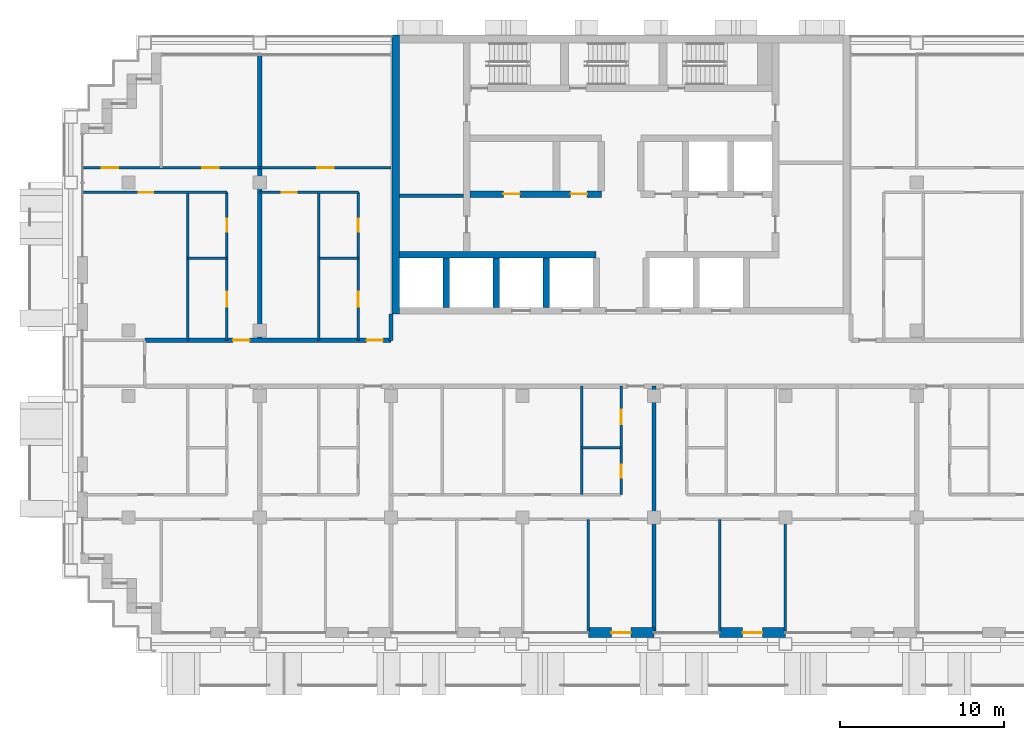
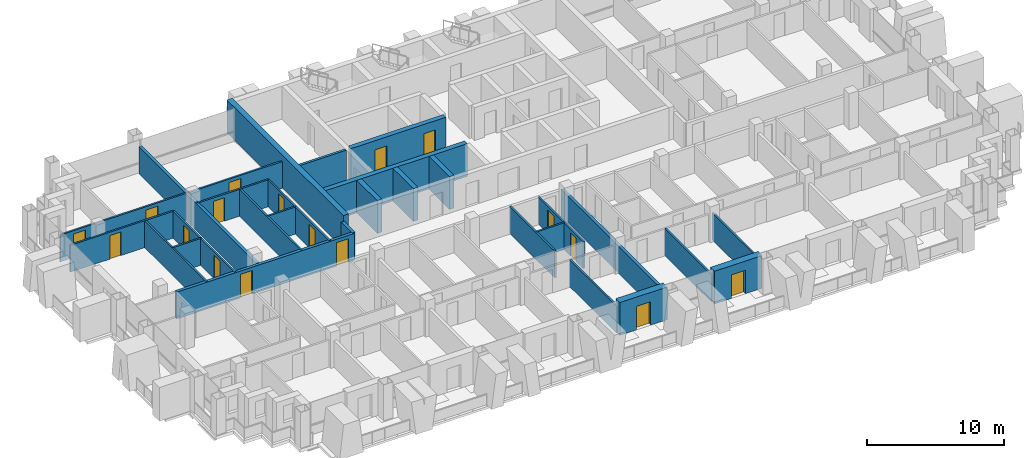
# One storey, part 9 of 18: 29 walls, 17 doors, 17 openings.
"""IFC4 building model written with IfcOpenShell, lengths in metres."""

from ifc_helpers import new_model, si_unit, direction, frame, frame_2d, origin, place, context, subcontext, project, spatial, rectangle, extrude, material, layer, layer_set, type_object, element, fill, save


model = new_model("IFC4")

# Units and contexts
model_context = context("Model", 3, precision=1e-05, world=origin(), true_north=direction((0.0, 1.0)))
body_context = subcontext(model_context, "Body", "Model", "MODEL_VIEW")
ifc_project = project(units=[si_unit("LENGTHUNIT", "METRE"), si_unit("AREAUNIT", "SQUARE_METRE"), si_unit("VOLUMEUNIT", "CUBIC_METRE"), si_unit("PLANEANGLEUNIT", "RADIAN"), si_unit("MASSUNIT", "GRAM", prefix="KILO")], contexts=[model_context])

# Site, building, storey
site_placement = place(None, origin())
site = spatial("IfcSite", under=ifc_project, at=site_placement, CompositionType="ELEMENT")
building_placement = place(site_placement, origin())
building = spatial("IfcBuilding", under=site, at=building_placement, Name="Vidyagriha Tower", CompositionType="ELEMENT")
storey_placement = place(building_placement, frame((0.0, 0.0, 123.0)))
storey = spatial("IfcBuildingStorey", under=building, at=storey_placement, Name="L31", CompositionType="ELEMENT", Elevation=123.0)

# Wall, opening, door
ifc_material_1 = material(Name="Precast concrete C40/50 with brick facing", Category="concrete")
ifc_layer_1 = layer(ifc_material_1, 0.60009765625)
ifc_layer_set_1 = layer_set([ifc_layer_1], Name="Precast concrete C40/50 with brick facing")
wall_type_1 = type_object("IfcWallType", Name="Brick-faced precast wall 600", PredefinedType="STANDARD", material=ifc_layer_set_1)
wall_1_placement = place(storey_placement, frame((-2.0, -16.39990234375, 0.0)))
wall_1 = element("IfcWall", 1, at=wall_1_placement, inside=storey, type_object=wall_type_1, Name="Brick door bay wall L31 R23.8", PredefinedType="STANDARD", context=body_context, shape_type="SweptSolid", body=[
    extrude(rectangle(XDim=4.0, YDim=0.60009765625, at=frame_2d((2.0, 0.0))), origin(), (0.0, 0.0, 1.0), 2.919921875),
])
opening_1_placement = place(wall_1_placement, frame((1.39990234375, 0.0, 0.0)))
opening_1 = element("IfcOpeningElement", 2, at=opening_1_placement, cuts=wall_1, Name="Opening D31-78", PredefinedType="OPENING", context=body_context, shape_type="SweptSolid", body=[
    extrude(rectangle(XDim=1.199951171875, YDim=2.10009765625, at=frame_2d((0.60009765625, 1.050048828125))), frame((0.0, 0.31005859375, 0.0), z_axis=(0.0, -1.0, 0.0), x_axis=(1.0, 0.0, 0.0)), (0.0, 0.0, 1.0), 0.6201171875),
])
ifc_material_2 = material(Name="Aluminium framed glazed sliding door", Category="aluminium")
door_type_1 = type_object("IfcDoorType", Name="Balcony sliding door 1200x2100", OperationType="NOTDEFINED", PredefinedType="DOOR", material=ifc_material_2)
door_1_placement = place(opening_1_placement, origin())
door_1 = element("IfcDoor", 3, at=door_1_placement, inside=storey, type_object=door_type_1, Name="Door D31-78", OperationType="SLIDING_TO_LEFT", OverallHeight=2.10009765625, OverallWidth=1.199951171875, PredefinedType="DOOR", context=body_context, shape_type="SweptSolid", body=[
    extrude(rectangle(XDim=1.199951171875, YDim=2.10009765625, at=frame_2d((0.60009765625, 1.050048828125))), frame((0.0, 0.02490234375, 0.0), z_axis=(0.0, -1.0, 0.0), x_axis=(1.0, 0.0, 0.0)), (0.0, 0.0, 1.0), 0.050048828125),
])
fill(opening_1, door_1)

wall_2_placement = place(storey_placement, frame((6.0, -16.39990234375, 0.0)))
wall_2 = element("IfcWall", 4, at=wall_2_placement, inside=storey, type_object=wall_type_1, Name="Brick door bay wall L31 R23.10", PredefinedType="STANDARD", context=body_context, shape_type="SweptSolid", body=[
    extrude(rectangle(XDim=4.0, YDim=0.60009765625, at=frame_2d((2.0, 0.0))), origin(), (0.0, 0.0, 1.0), 2.919921875),
])
opening_2_placement = place(wall_2_placement, frame((1.39990234375, 0.0, 0.0)))
opening_2 = element("IfcOpeningElement", 5, at=opening_2_placement, cuts=wall_2, Name="Opening D31-79", PredefinedType="OPENING", context=body_context, shape_type="SweptSolid", body=[
    extrude(rectangle(XDim=1.199951171875, YDim=2.10009765625, at=frame_2d((0.60009765625, 1.050048828125))), frame((0.0, 0.31005859375, 0.0), z_axis=(0.0, -1.0, 0.0), x_axis=(1.0, 0.0, 0.0)), (0.0, 0.0, 1.0), 0.6201171875),
])
door_2_placement = place(opening_2_placement, origin())
door_2 = element("IfcDoor", 6, at=door_2_placement, inside=storey, type_object=door_type_1, Name="Door D31-79", OperationType="SLIDING_TO_LEFT", OverallHeight=2.10009765625, OverallWidth=1.199951171875, PredefinedType="DOOR", context=body_context, shape_type="SweptSolid", body=[
    extrude(rectangle(XDim=1.199951171875, YDim=2.10009765625, at=frame_2d((0.60009765625, 1.050048828125))), frame((0.0, 0.02490234375, 0.0), z_axis=(0.0, -1.0, 0.0), x_axis=(1.0, 0.0, 0.0)), (0.0, 0.0, 1.0), 0.050048828125),
])
fill(opening_2, door_2)

# Walls
ifc_material_3 = material(Name="Concrete C60/75", Category="concrete")
ifc_layer_2 = layer(ifc_material_3, 0.39990234375)
ifc_layer_set_2 = layer_set([ifc_layer_2], Name="Concrete C60/75")
wall_type_2 = type_object("IfcWallType", Name="Core shear wall 400 mm", PredefinedType="SHEAR", material=ifc_layer_set_2)
wall_3_placement = place(storey_placement, frame((-13.5, 6.60009765625, 0.0)))
element("IfcWall", 7, at=wall_3_placement, inside=storey, type_object=wall_type_2, Name="Core lobby south wall west", PredefinedType="SHEAR", context=body_context, shape_type="SweptSolid", body=[
    extrude(rectangle(XDim=11.977783203125, YDim=0.39990234375, at=frame_2d((5.98876953125, 0.0))), origin(), (0.0, 0.0, 1.0), 2.919921875),
])
for number, where, z_axis, x_axis, name in (
    (8, (-10.655517578125, 3.39990234375, 0.0), (0.0, 0.0, 1.0), (0.0, 1.0, 0.0), "Core bay wall S1"),
    (9, (-7.611083984375, 3.39990234375, 0.0), (0.0, 0.0, 1.0), (0.0, 1.0, 0.0), "Core bay wall S2"),
    (10, (-4.566650390625, 3.39990234375, 0.0), (0.0, 0.0, 1.0), (0.0, 1.0, 0.0), "Core bay wall S3"),
):
    element("IfcWall", number, at=place(storey_placement, frame(where, z_axis=z_axis, x_axis=x_axis)), inside=storey, type_object=wall_type_2, Name=name, PredefinedType="SHEAR", context=body_context, shape_type="SweptSolid", body=[
        extrude(rectangle(XDim=3.0, YDim=0.39990234375, at=frame_2d((1.5, 0.0))), origin(), (0.0, 0.0, 1.0), 2.919921875),
    ])

# Wall, openings, doors
wall_4_placement = place(storey_placement, frame((-9.199951171875, 10.300048828125, 0.0)))
wall_4 = element("IfcWall", 11, at=wall_4_placement, inside=storey, type_object=wall_type_2, Name="Core row N front wall", PredefinedType="SHEAR", context=body_context, shape_type="SweptSolid", body=[
    extrude(rectangle(XDim=8.0, YDim=0.39990234375, at=frame_2d((4.0, 0.0))), origin(), (0.0, 0.0, 1.0), 2.919921875),
])
opening_3_placement = place(wall_4_placement, frame((2.033203125, 0.0, 0.0)))
opening_3 = element("IfcOpeningElement", 12, at=opening_3_placement, cuts=wall_4, Name="Opening D31-02", PredefinedType="OPENING", context=body_context, shape_type="SweptSolid", body=[
    extrude(rectangle(XDim=1.0, YDim=2.10009765625, at=frame_2d((0.5, 1.050048828125))), frame((0.0, 0.2099609375, 0.0), z_axis=(0.0, -1.0, 0.0), x_axis=(1.0, 0.0, 0.0)), (0.0, 0.0, 1.0), 0.419921875),
])
opening_4_placement = place(wall_4_placement, frame((6.13330078125, 0.0, 0.0)))
opening_4 = element("IfcOpeningElement", 13, at=opening_4_placement, cuts=wall_4, Name="Opening D31-03", PredefinedType="OPENING", context=body_context, shape_type="SweptSolid", body=[
    extrude(rectangle(XDim=1.0, YDim=2.10009765625, at=frame_2d((0.5, 1.050048828125))), frame((0.0, 0.2099609375, 0.0), z_axis=(0.0, -1.0, 0.0), x_axis=(1.0, 0.0, 0.0)), (0.0, 0.0, 1.0), 0.419921875),
])
ifc_material_4 = material(Name="Hollow metal door leaf")
door_type_2 = type_object("IfcDoorType", Name="Core room door 1000 x 2100 mm EI 60", OperationType="NOTDEFINED", PredefinedType="DOOR", material=ifc_material_4)
door_3_placement = place(opening_3_placement, frame((1.0, 0.0, 0.0), z_axis=(0.0, 0.0, 1.0), x_axis=(-1.0, 0.0, 0.0)))
door_3 = element("IfcDoor", 14, at=door_3_placement, inside=storey, type_object=door_type_2, Name="Door Refuse Room 31.14", OperationType="SINGLE_SWING_RIGHT", OverallHeight=2.10009765625, OverallWidth=1.0, PredefinedType="DOOR", context=body_context, shape_type="SweptSolid", body=[
    extrude(rectangle(XDim=1.0, YDim=2.10009765625, at=frame_2d((0.5, 1.050048828125))), frame((0.0, 0.02490234375, 0.0), z_axis=(0.0, -1.0, 0.0), x_axis=(1.0, 0.0, 0.0)), (0.0, 0.0, 1.0), 0.050048828125),
])
fill(opening_3, door_3)
door_4_placement = place(opening_4_placement, frame((1.0, 0.0, 0.0), z_axis=(0.0, 0.0, 1.0), x_axis=(-1.0, 0.0, 0.0)))
door_4 = element("IfcDoor", 15, at=door_4_placement, inside=storey, type_object=door_type_2, Name="Door Pressurisation Plant Room 31.15", OperationType="SINGLE_SWING_LEFT", OverallHeight=2.10009765625, OverallWidth=1.0, PredefinedType="DOOR", context=body_context, shape_type="SweptSolid", body=[
    extrude(rectangle(XDim=1.0, YDim=2.10009765625, at=frame_2d((0.5, 1.050048828125))), frame((0.0, 0.02490234375, 0.0), z_axis=(0.0, -1.0, 0.0), x_axis=(1.0, 0.0, 0.0)), (0.0, 0.0, 1.0), 0.050048828125),
])
fill(opening_4, door_4)

# Wall
ifc_material_5 = material(Name="Concrete C60/75", Category="concrete")
ifc_layer_3 = layer(ifc_material_5, 0.449951171875)
ifc_layer_set_3 = layer_set([ifc_layer_3], Name="Concrete C60/75")
wall_type_3 = type_object("IfcWallType", Name="Core shear wall 450 mm", PredefinedType="SHEAR", material=ifc_layer_set_3)
wall_5_placement = place(storey_placement, frame((-13.72509765625, 3.0, 0.0), z_axis=(0.0, 0.0, 1.0), x_axis=(0.0, 1.0, 0.0)))
element("IfcWall", 16, at=wall_5_placement, inside=storey, type_object=wall_type_3, Name="Core west wall", PredefinedType="SHEAR", context=body_context, shape_type="SweptSolid", body=[
    extrude(rectangle(XDim=17.0, YDim=0.449951171875, at=frame_2d((8.5, 0.0))), origin(), (0.0, 0.0, 1.0), 2.919921875),
])

# Wall, openings, doors
ifc_material_6 = material(Name="Fired clay brick masonry", Category="masonry")
ifc_layer_4 = layer(ifc_material_6, 0.25)
ifc_layer_set_4 = layer_set([ifc_layer_4], Name="Fired clay brick masonry")
wall_type_4 = type_object("IfcWallType", Name="Fired clay brick corridor wall 250", PredefinedType="PARTITIONING", material=ifc_layer_set_4)
wall_6_placement = place(storey_placement, frame((-29.0, 1.39990234375, 0.0)))
wall_6 = element("IfcWall", 17, at=wall_6_placement, inside=storey, type_object=wall_type_4, Name="Wall all-L31-w108", PredefinedType="PARTITIONING", context=body_context, shape_type="SweptSolid", body=[
    extrude(rectangle(XDim=15.0, YDim=0.25, at=frame_2d((7.5, 0.0))), origin(), (0.0, 0.0, 1.0), 2.39990234375),
])
opening_5_placement = place(wall_6_placement, frame((5.382080078125, 0.0, 0.0)))
opening_5 = element("IfcOpeningElement", 18, at=opening_5_placement, cuts=wall_6, Name="Opening D31-56", PredefinedType="OPENING", context=body_context, shape_type="SweptSolid", body=[
    extrude(rectangle(XDim=1.0, YDim=2.10009765625, at=frame_2d((0.5, 1.050048828125))), frame((0.0, 0.135009765625, 0.0), z_axis=(0.0, -1.0, 0.0), x_axis=(1.0, 0.0, 0.0)), (0.0, 0.0, 1.0), 0.27001953125),
])
opening_6_placement = place(wall_6_placement, frame((13.5, 0.0, 0.0)))
opening_6 = element("IfcOpeningElement", 19, at=opening_6_placement, cuts=wall_6, Name="Opening D31-61", PredefinedType="OPENING", context=body_context, shape_type="SweptSolid", body=[
    extrude(rectangle(XDim=1.0, YDim=2.10009765625, at=frame_2d((0.5, 1.050048828125))), frame((0.0, 0.135009765625, 0.0), z_axis=(0.0, -1.0, 0.0), x_axis=(1.0, 0.0, 0.0)), (0.0, 0.0, 1.0), 0.27001953125),
])
ifc_material_7 = material(Name="Fire-rated timber door leaf EI 60", Category="wood")
door_type_3 = type_object("IfcDoorType", Name="Flat entrance fire door 1000x2100", OperationType="NOTDEFINED", PredefinedType="DOOR", material=ifc_material_7)
door_5_placement = place(opening_5_placement, origin())
door_5 = element("IfcDoor", 20, at=door_5_placement, inside=storey, type_object=door_type_3, Name="Door D31-56", OperationType="SINGLE_SWING_RIGHT", OverallHeight=2.10009765625, OverallWidth=1.0, PredefinedType="DOOR", context=body_context, shape_type="SweptSolid", body=[
    extrude(rectangle(XDim=1.0, YDim=2.10009765625, at=frame_2d((0.5, 1.050048828125))), frame((0.0, 0.02490234375, 0.0), z_axis=(0.0, -1.0, 0.0), x_axis=(1.0, 0.0, 0.0)), (0.0, 0.0, 1.0), 0.050048828125),
])
fill(opening_5, door_5)
door_6_placement = place(opening_6_placement, origin())
door_6 = element("IfcDoor", 21, at=door_6_placement, inside=storey, type_object=door_type_3, Name="Door D31-61", OperationType="SINGLE_SWING_RIGHT", OverallHeight=2.10009765625, OverallWidth=1.0, PredefinedType="DOOR", context=body_context, shape_type="SweptSolid", body=[
    extrude(rectangle(XDim=1.0, YDim=2.10009765625, at=frame_2d((0.5, 1.050048828125))), frame((0.0, 0.02490234375, 0.0), z_axis=(0.0, -1.0, 0.0), x_axis=(1.0, 0.0, 0.0)), (0.0, 0.0, 1.0), 0.050048828125),
])
fill(opening_6, door_6)

# Walls
wall_7_placement = place(storey_placement, frame((-14.0, 3.0, 0.0), z_axis=(0.0, 0.0, 1.0), x_axis=(0.0, -1.0, 0.0)))
element("IfcWall", 22, at=wall_7_placement, inside=storey, type_object=wall_type_4, Name="Wall all-L31-w135", PredefinedType="PARTITIONING", context=body_context, shape_type="SweptSolid", body=[
    extrude(rectangle(XDim=1.60009765625, YDim=0.25, at=frame_2d((0.800048828125, 0.0))), origin(), (0.0, 0.0, 1.0), 2.39990234375),
])
ifc_material_8 = material(Name="Fired clay brick masonry", Category="masonry")
ifc_layer_5 = layer(ifc_material_8, 0.25)
ifc_layer_set_5 = layer_set([ifc_layer_5], Name="Fired clay brick masonry")
wall_type_5 = type_object("IfcWallType", Name="Fired clay brick demising wall 250", PredefinedType="PARTITIONING", material=ifc_layer_set_5)
wall_8_placement = place(storey_placement, frame((2.0, -1.39990234375, 0.0), z_axis=(0.0, 0.0, 1.0), x_axis=(0.0, -1.0, 0.0)))
element("IfcWall", 23, at=wall_8_placement, inside=storey, type_object=wall_type_5, Name="Wall all-L31-w065", PredefinedType="PARTITIONING", context=body_context, shape_type="SweptSolid", body=[
    extrude(rectangle(XDim=14.91015625, YDim=0.25, at=frame_2d((7.455078125, 0.0))), origin(), (0.0, 0.0, 1.0), 2.39990234375),
])
wall_9_placement = place(storey_placement, frame((-22.0, 18.720947265625, 0.0), z_axis=(0.0, 0.0, 1.0), x_axis=(0.0, -1.0, 0.0)))
element("IfcWall", 24, at=wall_9_placement, inside=storey, type_object=wall_type_5, Name="Wall all-L31-w107", PredefinedType="PARTITIONING", context=body_context, shape_type="SweptSolid", body=[
    extrude(rectangle(XDim=17.321044921875, YDim=0.25, at=frame_2d((8.66064453125, 0.0))), origin(), (0.0, 0.0, 1.0), 2.39990234375),
])
ifc_material_9 = material(Name="Gypsum board partition")
ifc_layer_6 = layer(ifc_material_9, 0.14990234375)
ifc_layer_set_6 = layer_set([ifc_layer_6], Name="Gypsum board partition")
wall_type_6 = type_object("IfcWallType", Name="Gypsum board partition 150", PredefinedType="PARTITIONING", material=ifc_layer_set_6)
wall_10_placement = place(storey_placement, frame((0.0, -5.14990234375, 0.0), z_axis=(0.0, 0.0, 1.0), x_axis=(-1.0, 0.0, 0.0)))
element("IfcWall", 25, at=wall_10_placement, inside=storey, type_object=wall_type_6, Name="Wall all-L31-w029", PredefinedType="PARTITIONING", context=body_context, shape_type="SweptSolid", body=[
    extrude(rectangle(XDim=2.39990234375, YDim=0.14990234375, at=frame_2d((1.199951171875, 0.0))), origin(), (0.0, 0.0, 1.0), 2.39990234375),
])
wall_11_placement = place(storey_placement, frame((-2.39990234375, -8.0, 0.0), z_axis=(0.0, 0.0, 1.0), x_axis=(0.0, 1.0, 0.0)))
element("IfcWall", 26, at=wall_11_placement, inside=storey, type_object=wall_type_6, Name="Wall all-L31-w030", PredefinedType="PARTITIONING", context=body_context, shape_type="SweptSolid", body=[
    extrude(rectangle(XDim=6.60009765625, YDim=0.14990234375, at=frame_2d((3.300048828125, 0.0))), origin(), (0.0, 0.0, 1.0), 2.39990234375),
])
for number, where, z_axis, x_axis, name in (
    (27, (-2.0, -9.5, 0.0), (0.0, 0.0, 1.0), (0.0, -1.0, 0.0), "Wall all-L31-w044"),
    (28, (6.0, -9.5, 0.0), (0.0, 0.0, 1.0), (0.0, -1.0, 0.0), "Wall all-L31-w062"),
):
    element("IfcWall", number, at=place(storey_placement, frame(where, z_axis=z_axis, x_axis=x_axis)), inside=storey, type_object=wall_type_6, Name=name, PredefinedType="PARTITIONING", context=body_context, shape_type="SweptSolid", body=[
        extrude(rectangle(XDim=6.821044921875, YDim=0.14990234375, at=frame_2d((3.41064453125, 0.0))), origin(), (0.0, 0.0, 1.0), 2.39990234375),
    ])
wall_12_placement = place(storey_placement, frame((10.0, -9.5, 0.0), z_axis=(0.0, 0.0, 1.0), x_axis=(0.0, -1.0, 0.0)))
element("IfcWall", 29, at=wall_12_placement, inside=storey, type_object=wall_type_6, Name="Wall all-L31-w063", PredefinedType="PARTITIONING", context=body_context, shape_type="SweptSolid", body=[
    extrude(rectangle(XDim=6.81005859375, YDim=0.14990234375, at=frame_2d((3.405029296875, 0.0))), origin(), (0.0, 0.0, 1.0), 2.39990234375),
])
wall_13_placement = place(storey_placement, frame((-26.39990234375, 6.39990234375, 0.0)))
element("IfcWall", 30, at=wall_13_placement, inside=storey, type_object=wall_type_6, Name="Wall all-L31-w088", PredefinedType="PARTITIONING", context=body_context, shape_type="SweptSolid", body=[
    extrude(rectangle(XDim=2.39990234375, YDim=0.14990234375, at=frame_2d((1.199951171875, 0.0))), origin(), (0.0, 0.0, 1.0), 2.39990234375),
])
wall_14_placement = place(storey_placement, frame((-26.39990234375, 1.39990234375, 0.0), z_axis=(0.0, 0.0, 1.0), x_axis=(0.0, 1.0, 0.0)))
element("IfcWall", 31, at=wall_14_placement, inside=storey, type_object=wall_type_6, Name="Wall all-L31-w089", PredefinedType="PARTITIONING", context=body_context, shape_type="SweptSolid", body=[
    extrude(rectangle(XDim=9.0, YDim=0.14990234375, at=frame_2d((4.5, 0.0))), origin(), (0.0, 0.0, 1.0), 2.39990234375),
])

# Wall, opening, door
wall_15_placement = place(storey_placement, frame((-24.0, 10.39990234375, 0.0), z_axis=(0.0, 0.0, 1.0), x_axis=(-1.0, 0.0, 0.0)))
wall_15 = element("IfcWall", 32, at=wall_15_placement, inside=storey, type_object=wall_type_6, Name="Wall all-L31-w090", PredefinedType="PARTITIONING", context=body_context, shape_type="SweptSolid", body=[
    extrude(rectangle(XDim=8.719970703125, YDim=0.14990234375, at=frame_2d((4.35986328125, 0.0))), origin(), (0.0, 0.0, 1.0), 2.39990234375),
])
opening_7_placement = place(wall_15_placement, frame((4.48193359375, 0.0, 0.0)))
opening_7 = element("IfcOpeningElement", 33, at=opening_7_placement, cuts=wall_15, Name="Opening D31-53", PredefinedType="OPENING", context=body_context, shape_type="SweptSolid", body=[
    extrude(rectangle(XDim=0.89990234375, YDim=2.10009765625, at=frame_2d((0.449951171875, 1.050048828125))), frame((0.0, 0.0849609375, 0.0), z_axis=(0.0, -1.0, 0.0), x_axis=(1.0, 0.0, 0.0)), (0.0, 0.0, 1.0), 0.169921875),
])
ifc_material_10 = material(Name="Timber door leaf", Category="wood")
door_type_4 = type_object("IfcDoorType", Name="Room door 900x2100", OperationType="NOTDEFINED", PredefinedType="DOOR", material=ifc_material_10)
door_7_placement = place(opening_7_placement, origin())
door_7 = element("IfcDoor", 34, at=door_7_placement, inside=storey, type_object=door_type_4, Name="Door D31-53", OperationType="SINGLE_SWING_LEFT", OverallHeight=2.10009765625, OverallWidth=0.89990234375, PredefinedType="DOOR", context=body_context, shape_type="SweptSolid", body=[
    extrude(rectangle(XDim=0.89990234375, YDim=2.10009765625, at=frame_2d((0.449951171875, 1.050048828125))), frame((0.0, 0.02490234375, 0.0), z_axis=(0.0, -1.0, 0.0), x_axis=(1.0, 0.0, 0.0)), (0.0, 0.0, 1.0), 0.050048828125),
])
fill(opening_7, door_7)

# Wall, openings, doors
wall_16_placement = place(storey_placement, frame((-32.719970703125, 11.89990234375, 0.0)))
wall_16 = element("IfcWall", 35, at=wall_16_placement, inside=storey, type_object=wall_type_6, Name="Wall all-L31-w092", PredefinedType="PARTITIONING", context=body_context, shape_type="SweptSolid", body=[
    extrude(rectangle(XDim=10.719970703125, YDim=0.14990234375, at=frame_2d((5.35986328125, 0.0))), origin(), (0.0, 0.0, 1.0), 2.39990234375),
])
opening_8_placement = place(wall_16_placement, frame((1.10205078125, 0.0, 0.0)))
opening_8 = element("IfcOpeningElement", 36, at=opening_8_placement, cuts=wall_16, Name="Opening D31-54", PredefinedType="OPENING", context=body_context, shape_type="SweptSolid", body=[
    extrude(rectangle(XDim=1.0, YDim=2.10009765625, at=frame_2d((0.5, 1.050048828125))), frame((0.0, 0.0849609375, 0.0), z_axis=(0.0, -1.0, 0.0), x_axis=(1.0, 0.0, 0.0)), (0.0, 0.0, 1.0), 0.169921875),
])
opening_9_placement = place(wall_16_placement, frame((7.219970703125, 0.0, 0.0)))
opening_9 = element("IfcOpeningElement", 37, at=opening_9_placement, cuts=wall_16, Name="Opening D31-55", PredefinedType="OPENING", context=body_context, shape_type="SweptSolid", body=[
    extrude(rectangle(XDim=1.0, YDim=2.10009765625, at=frame_2d((0.5, 1.050048828125))), frame((0.0, 0.0849609375, 0.0), z_axis=(0.0, -1.0, 0.0), x_axis=(1.0, 0.0, 0.0)), (0.0, 0.0, 1.0), 0.169921875),
])
ifc_material_11 = material(Name="Timber door leaf", Category="wood")
door_type_5 = type_object("IfcDoorType", Name="Room door 1000x2100", OperationType="NOTDEFINED", PredefinedType="DOOR", material=ifc_material_11)
door_8_placement = place(opening_8_placement, origin())
door_8 = element("IfcDoor", 38, at=door_8_placement, inside=storey, type_object=door_type_5, Name="Door D31-54", OperationType="SINGLE_SWING_LEFT", OverallHeight=2.10009765625, OverallWidth=1.0, PredefinedType="DOOR", context=body_context, shape_type="SweptSolid", body=[
    extrude(rectangle(XDim=1.0, YDim=2.10009765625, at=frame_2d((0.5, 1.050048828125))), frame((0.0, 0.02490234375, 0.0), z_axis=(0.0, -1.0, 0.0), x_axis=(1.0, 0.0, 0.0)), (0.0, 0.0, 1.0), 0.050048828125),
])
fill(opening_8, door_8)
door_9_placement = place(opening_9_placement, origin())
door_9 = element("IfcDoor", 39, at=door_9_placement, inside=storey, type_object=door_type_5, Name="Door D31-55", OperationType="SINGLE_SWING_RIGHT", OverallHeight=2.10009765625, OverallWidth=1.0, PredefinedType="DOOR", context=body_context, shape_type="SweptSolid", body=[
    extrude(rectangle(XDim=1.0, YDim=2.10009765625, at=frame_2d((0.5, 1.050048828125))), frame((0.0, 0.02490234375, 0.0), z_axis=(0.0, -1.0, 0.0), x_axis=(1.0, 0.0, 0.0)), (0.0, 0.0, 1.0), 0.050048828125),
])
fill(opening_9, door_9)

# Walls
wall_17_placement = place(storey_placement, frame((-18.39990234375, 6.39990234375, 0.0)))
element("IfcWall", 40, at=wall_17_placement, inside=storey, type_object=wall_type_6, Name="Wall all-L31-w100", PredefinedType="PARTITIONING", context=body_context, shape_type="SweptSolid", body=[
    extrude(rectangle(XDim=2.39990234375, YDim=0.14990234375, at=frame_2d((1.199951171875, 0.0))), origin(), (0.0, 0.0, 1.0), 2.39990234375),
])
wall_18_placement = place(storey_placement, frame((-18.39990234375, 1.39990234375, 0.0), z_axis=(0.0, 0.0, 1.0), x_axis=(0.0, 1.0, 0.0)))
element("IfcWall", 41, at=wall_18_placement, inside=storey, type_object=wall_type_6, Name="Wall all-L31-w101", PredefinedType="PARTITIONING", context=body_context, shape_type="SweptSolid", body=[
    extrude(rectangle(XDim=9.0, YDim=0.14990234375, at=frame_2d((4.5, 0.0))), origin(), (0.0, 0.0, 1.0), 2.39990234375),
])

# Wall, opening, door
wall_19_placement = place(storey_placement, frame((-16.0, 10.39990234375, 0.0), z_axis=(0.0, 0.0, 1.0), x_axis=(-1.0, 0.0, 0.0)))
wall_19 = element("IfcWall", 42, at=wall_19_placement, inside=storey, type_object=wall_type_6, Name="Wall all-L31-w102", PredefinedType="PARTITIONING", context=body_context, shape_type="SweptSolid", body=[
    extrude(rectangle(XDim=6.0, YDim=0.14990234375, at=frame_2d((3.0, 0.0))), origin(), (0.0, 0.0, 1.0), 2.39990234375),
])
opening_10_placement = place(wall_19_placement, frame((3.75, 0.0, 0.0)))
opening_10 = element("IfcOpeningElement", 43, at=opening_10_placement, cuts=wall_19, Name="Opening D31-59", PredefinedType="OPENING", context=body_context, shape_type="SweptSolid", body=[
    extrude(rectangle(XDim=0.89990234375, YDim=2.10009765625, at=frame_2d((0.449951171875, 1.050048828125))), frame((0.0, 0.0849609375, 0.0), z_axis=(0.0, -1.0, 0.0), x_axis=(1.0, 0.0, 0.0)), (0.0, 0.0, 1.0), 0.169921875),
])
door_10_placement = place(opening_10_placement, origin())
door_10 = element("IfcDoor", 44, at=door_10_placement, inside=storey, type_object=door_type_4, Name="Door D31-59", OperationType="SINGLE_SWING_RIGHT", OverallHeight=2.10009765625, OverallWidth=0.89990234375, PredefinedType="DOOR", context=body_context, shape_type="SweptSolid", body=[
    extrude(rectangle(XDim=0.89990234375, YDim=2.10009765625, at=frame_2d((0.449951171875, 1.050048828125))), frame((0.0, 0.02490234375, 0.0), z_axis=(0.0, -1.0, 0.0), x_axis=(1.0, 0.0, 0.0)), (0.0, 0.0, 1.0), 0.050048828125),
])
fill(opening_10, door_10)

wall_20_placement = place(storey_placement, frame((-22.0, 11.89990234375, 0.0)))
wall_20 = element("IfcWall", 45, at=wall_20_placement, inside=storey, type_object=wall_type_6, Name="Wall all-L31-w104", PredefinedType="PARTITIONING", context=body_context, shape_type="SweptSolid", body=[
    extrude(rectangle(XDim=8.0, YDim=0.14990234375, at=frame_2d((4.0, 0.0))), origin(), (0.0, 0.0, 1.0), 2.39990234375),
])
opening_11_placement = place(wall_20_placement, frame((3.5, 0.0, 0.0)))
opening_11 = element("IfcOpeningElement", 46, at=opening_11_placement, cuts=wall_20, Name="Opening D31-60", PredefinedType="OPENING", context=body_context, shape_type="SweptSolid", body=[
    extrude(rectangle(XDim=1.0, YDim=2.10009765625, at=frame_2d((0.5, 1.050048828125))), frame((0.0, 0.0849609375, 0.0), z_axis=(0.0, -1.0, 0.0), x_axis=(1.0, 0.0, 0.0)), (0.0, 0.0, 1.0), 0.169921875),
])
door_11_placement = place(opening_11_placement, origin())
door_11 = element("IfcDoor", 47, at=door_11_placement, inside=storey, type_object=door_type_5, Name="Door D31-60", OperationType="SINGLE_SWING_RIGHT", OverallHeight=2.10009765625, OverallWidth=1.0, PredefinedType="DOOR", context=body_context, shape_type="SweptSolid", body=[
    extrude(rectangle(XDim=1.0, YDim=2.10009765625, at=frame_2d((0.5, 1.050048828125))), frame((0.0, 0.02490234375, 0.0), z_axis=(0.0, -1.0, 0.0), x_axis=(1.0, 0.0, 0.0)), (0.0, 0.0, 1.0), 0.050048828125),
])
fill(opening_11, door_11)

# Wall, openings, doors
ifc_material_12 = material(Name="Moisture resistant gypsum board partition")
ifc_layer_7 = layer(ifc_material_12, 0.14990234375)
ifc_layer_set_7 = layer_set([ifc_layer_7], Name="Moisture resistant gypsum board partition")
wall_type_7 = type_object("IfcWallType", Name="Gypsum board wet-area partition 150", PredefinedType="PARTITIONING", material=ifc_layer_set_7)
wall_21_placement = place(storey_placement, frame((0.0, -8.0, 0.0), z_axis=(0.0, 0.0, 1.0), x_axis=(0.0, 1.0, 0.0)))
wall_21 = element("IfcWall", 48, at=wall_21_placement, inside=storey, type_object=wall_type_7, Name="Wall all-L31-w026", PredefinedType="PARTITIONING", context=body_context, shape_type="SweptSolid", body=[
    extrude(rectangle(XDim=6.60009765625, YDim=0.14990234375, at=frame_2d((3.300048828125, 0.0))), origin(), (0.0, 0.0, 1.0), 2.39990234375),
])
opening_12_placement = place(wall_21_placement, frame((4.27490234375, 0.0, 0.0)))
opening_12 = element("IfcOpeningElement", 49, at=opening_12_placement, cuts=wall_21, Name="Opening D31-25", PredefinedType="OPENING", context=body_context, shape_type="SweptSolid", body=[
    extrude(rectangle(XDim=0.89990234375, YDim=2.10009765625, at=frame_2d((0.449951171875, 1.050048828125))), frame((0.0, 0.0849609375, 0.0), z_axis=(0.0, -1.0, 0.0), x_axis=(1.0, 0.0, 0.0)), (0.0, 0.0, 1.0), 0.169921875),
])
opening_13_placement = place(wall_21_placement, frame((1.02490234375, 0.0, 0.0)))
opening_13 = element("IfcOpeningElement", 50, at=opening_13_placement, cuts=wall_21, Name="Opening D31-26", PredefinedType="OPENING", context=body_context, shape_type="SweptSolid", body=[
    extrude(rectangle(XDim=0.800048828125, YDim=2.10009765625, at=frame_2d((0.39990234375, 1.050048828125))), frame((0.0, 0.0849609375, 0.0), z_axis=(0.0, -1.0, 0.0), x_axis=(1.0, 0.0, 0.0)), (0.0, 0.0, 1.0), 0.169921875),
])
ifc_material_13 = material(Name="Timber door leaf", Category="wood")
door_type_6 = type_object("IfcDoorType", Name="Bathroom door 800x2100", OperationType="NOTDEFINED", PredefinedType="DOOR", material=ifc_material_13)
door_12_placement = place(opening_13_placement, origin())
door_12 = element("IfcDoor", 51, at=door_12_placement, inside=storey, type_object=door_type_6, Name="Door D31-26", OperationType="SINGLE_SWING_RIGHT", OverallHeight=2.10009765625, OverallWidth=0.800048828125, PredefinedType="DOOR", context=body_context, shape_type="SweptSolid", body=[
    extrude(rectangle(XDim=0.800048828125, YDim=2.10009765625, at=frame_2d((0.39990234375, 1.050048828125))), frame((0.0, 0.02490234375, 0.0), z_axis=(0.0, -1.0, 0.0), x_axis=(1.0, 0.0, 0.0)), (0.0, 0.0, 1.0), 0.050048828125),
])
fill(opening_13, door_12)
ifc_material_14 = material(Name="Timber door leaf", Category="wood")
door_type_7 = type_object("IfcDoorType", Name="Kitchen door 900x2100", OperationType="NOTDEFINED", PredefinedType="DOOR", material=ifc_material_14)
door_13_placement = place(opening_12_placement, origin())
door_13 = element("IfcDoor", 52, at=door_13_placement, inside=storey, type_object=door_type_7, Name="Door D31-25", OperationType="SINGLE_SWING_LEFT", OverallHeight=2.10009765625, OverallWidth=0.89990234375, PredefinedType="DOOR", context=body_context, shape_type="SweptSolid", body=[
    extrude(rectangle(XDim=0.89990234375, YDim=2.10009765625, at=frame_2d((0.449951171875, 1.050048828125))), frame((0.0, 0.02490234375, 0.0), z_axis=(0.0, -1.0, 0.0), x_axis=(1.0, 0.0, 0.0)), (0.0, 0.0, 1.0), 0.050048828125),
])
fill(opening_12, door_13)

wall_22_placement = place(storey_placement, frame((-24.0, 1.39990234375, 0.0), z_axis=(0.0, 0.0, 1.0), x_axis=(0.0, 1.0, 0.0)))
wall_22 = element("IfcWall", 53, at=wall_22_placement, inside=storey, type_object=wall_type_7, Name="Wall all-L31-w085", PredefinedType="PARTITIONING", context=body_context, shape_type="SweptSolid", body=[
    extrude(rectangle(XDim=9.0, YDim=0.14990234375, at=frame_2d((4.5, 0.0))), origin(), (0.0, 0.0, 1.0), 2.39990234375),
])
opening_14_placement = place(wall_22_placement, frame((2.050048828125, 0.0, 0.0)))
opening_14 = element("IfcOpeningElement", 54, at=opening_14_placement, cuts=wall_22, Name="Opening D31-51", PredefinedType="OPENING", context=body_context, shape_type="SweptSolid", body=[
    extrude(rectangle(XDim=0.89990234375, YDim=2.10009765625, at=frame_2d((0.449951171875, 1.050048828125))), frame((0.0, 0.0849609375, 0.0), z_axis=(0.0, -1.0, 0.0), x_axis=(1.0, 0.0, 0.0)), (0.0, 0.0, 1.0), 0.169921875),
])
opening_15_placement = place(wall_22_placement, frame((6.60009765625, 0.0, 0.0)))
opening_15 = element("IfcOpeningElement", 55, at=opening_15_placement, cuts=wall_22, Name="Opening D31-52", PredefinedType="OPENING", context=body_context, shape_type="SweptSolid", body=[
    extrude(rectangle(XDim=0.800048828125, YDim=2.10009765625, at=frame_2d((0.39990234375, 1.050048828125))), frame((0.0, 0.0849609375, 0.0), z_axis=(0.0, -1.0, 0.0), x_axis=(1.0, 0.0, 0.0)), (0.0, 0.0, 1.0), 0.169921875),
])
door_14_placement = place(opening_15_placement, origin())
door_14 = element("IfcDoor", 56, at=door_14_placement, inside=storey, type_object=door_type_6, Name="Door D31-52", OperationType="SINGLE_SWING_RIGHT", OverallHeight=2.10009765625, OverallWidth=0.800048828125, PredefinedType="DOOR", context=body_context, shape_type="SweptSolid", body=[
    extrude(rectangle(XDim=0.800048828125, YDim=2.10009765625, at=frame_2d((0.39990234375, 1.050048828125))), frame((0.0, 0.02490234375, 0.0), z_axis=(0.0, -1.0, 0.0), x_axis=(1.0, 0.0, 0.0)), (0.0, 0.0, 1.0), 0.050048828125),
])
fill(opening_15, door_14)
door_15_placement = place(opening_14_placement, origin())
door_15 = element("IfcDoor", 57, at=door_15_placement, inside=storey, type_object=door_type_7, Name="Door D31-51", OperationType="SINGLE_SWING_LEFT", OverallHeight=2.10009765625, OverallWidth=0.89990234375, PredefinedType="DOOR", context=body_context, shape_type="SweptSolid", body=[
    extrude(rectangle(XDim=0.89990234375, YDim=2.10009765625, at=frame_2d((0.449951171875, 1.050048828125))), frame((0.0, 0.02490234375, 0.0), z_axis=(0.0, -1.0, 0.0), x_axis=(1.0, 0.0, 0.0)), (0.0, 0.0, 1.0), 0.050048828125),
])
fill(opening_14, door_15)

wall_23_placement = place(storey_placement, frame((-16.0, 1.39990234375, 0.0), z_axis=(0.0, 0.0, 1.0), x_axis=(0.0, 1.0, 0.0)))
wall_23 = element("IfcWall", 58, at=wall_23_placement, inside=storey, type_object=wall_type_7, Name="Wall all-L31-w097", PredefinedType="PARTITIONING", context=body_context, shape_type="SweptSolid", body=[
    extrude(rectangle(XDim=9.0, YDim=0.14990234375, at=frame_2d((4.5, 0.0))), origin(), (0.0, 0.0, 1.0), 2.39990234375),
])
opening_16_placement = place(wall_23_placement, frame((2.050048828125, 0.0, 0.0)))
opening_16 = element("IfcOpeningElement", 59, at=opening_16_placement, cuts=wall_23, Name="Opening D31-57", PredefinedType="OPENING", context=body_context, shape_type="SweptSolid", body=[
    extrude(rectangle(XDim=0.89990234375, YDim=2.10009765625, at=frame_2d((0.449951171875, 1.050048828125))), frame((0.0, 0.0849609375, 0.0), z_axis=(0.0, -1.0, 0.0), x_axis=(1.0, 0.0, 0.0)), (0.0, 0.0, 1.0), 0.169921875),
])
opening_17_placement = place(wall_23_placement, frame((6.60009765625, 0.0, 0.0)))
opening_17 = element("IfcOpeningElement", 60, at=opening_17_placement, cuts=wall_23, Name="Opening D31-58", PredefinedType="OPENING", context=body_context, shape_type="SweptSolid", body=[
    extrude(rectangle(XDim=0.800048828125, YDim=2.10009765625, at=frame_2d((0.39990234375, 1.050048828125))), frame((0.0, 0.0849609375, 0.0), z_axis=(0.0, -1.0, 0.0), x_axis=(1.0, 0.0, 0.0)), (0.0, 0.0, 1.0), 0.169921875),
])
door_16_placement = place(opening_17_placement, origin())
door_16 = element("IfcDoor", 61, at=door_16_placement, inside=storey, type_object=door_type_6, Name="Door D31-58", OperationType="SINGLE_SWING_RIGHT", OverallHeight=2.10009765625, OverallWidth=0.800048828125, PredefinedType="DOOR", context=body_context, shape_type="SweptSolid", body=[
    extrude(rectangle(XDim=0.800048828125, YDim=2.10009765625, at=frame_2d((0.39990234375, 1.050048828125))), frame((0.0, 0.02490234375, 0.0), z_axis=(0.0, -1.0, 0.0), x_axis=(1.0, 0.0, 0.0)), (0.0, 0.0, 1.0), 0.050048828125),
])
fill(opening_17, door_16)
door_17_placement = place(opening_16_placement, origin())
door_17 = element("IfcDoor", 62, at=door_17_placement, inside=storey, type_object=door_type_7, Name="Door D31-57", OperationType="SINGLE_SWING_LEFT", OverallHeight=2.10009765625, OverallWidth=0.89990234375, PredefinedType="DOOR", context=body_context, shape_type="SweptSolid", body=[
    extrude(rectangle(XDim=0.89990234375, YDim=2.10009765625, at=frame_2d((0.449951171875, 1.050048828125))), frame((0.0, 0.02490234375, 0.0), z_axis=(0.0, -1.0, 0.0), x_axis=(1.0, 0.0, 0.0)), (0.0, 0.0, 1.0), 0.050048828125),
])
fill(opening_16, door_17)

# Wall
ifc_material_15 = material(Name="Blockwork 15 MPa", Category="masonry")
ifc_layer_8 = layer(ifc_material_15, 0.199951171875)
ifc_layer_set_8 = layer_set([ifc_layer_8], Name="Blockwork 15 MPa")
wall_type_8 = type_object("IfcWallType", Name="Service room partition 200 mm", PredefinedType="PARTITIONING", material=ifc_layer_set_8)
wall_24_placement = place(storey_placement, frame((-13.5, 10.199951171875, 0.0)))
element("IfcWall", 63, at=wall_24_placement, inside=storey, type_object=wall_type_8, Name="Core room partition W1", PredefinedType="PARTITIONING", context=body_context, shape_type="SweptSolid", body=[
    extrude(rectangle(XDim=3.89990234375, YDim=0.199951171875, at=frame_2d((1.949951171875, 0.0))), origin(), (0.0, 0.0, 1.0), 2.919921875),
])

save(model, "model.ifc")
